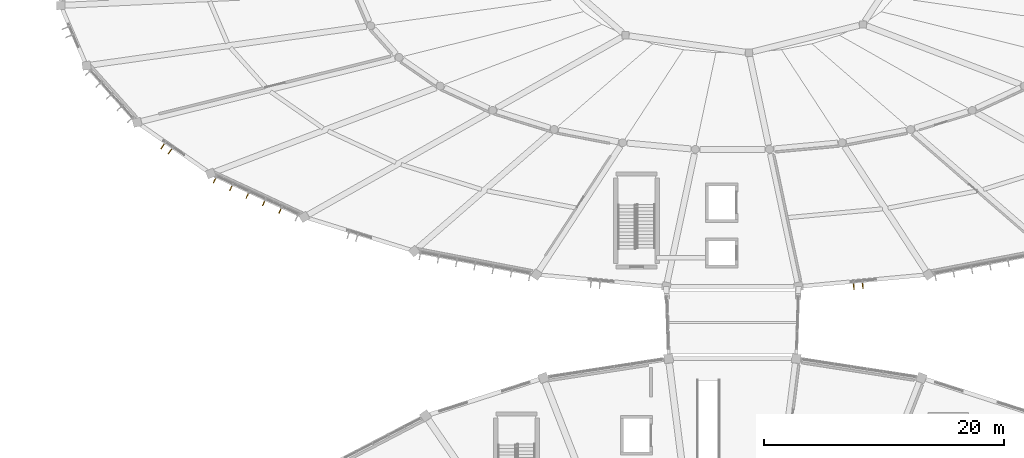
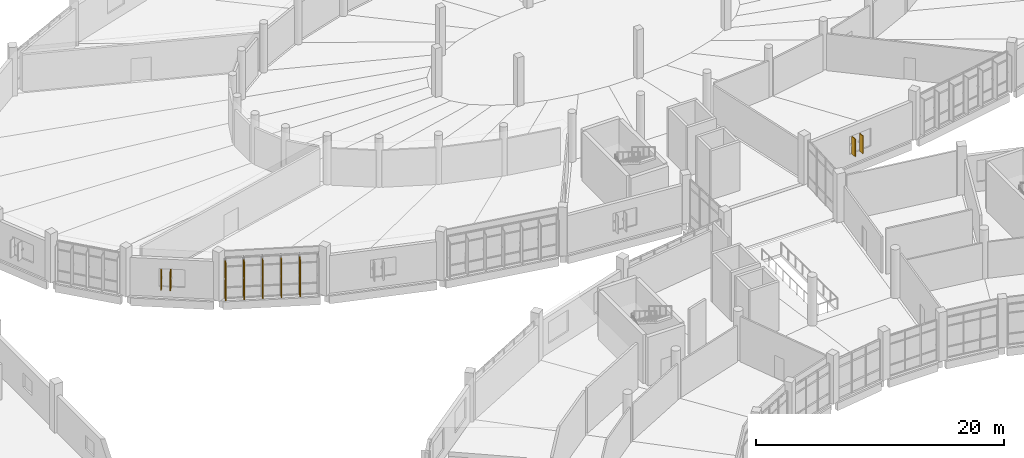
# One storey, part 159 of 179: 9 shading devices.
"""IFC4 building model written with IfcOpenShell, lengths in metres."""

from ifc_helpers import new_model, si_unit, direction, frame, origin, origin_2d, place, context, subcontext, project, spatial, rectangle, extrude, material, type_object, element, save


model = new_model("IFC4")

# Units and contexts
model_context = context("Model", 3, precision=1e-05, world=origin(), true_north=direction((0.0, 1.0)))
body_context = subcontext(model_context, "Body", "Model", "MODEL_VIEW")
ifc_project = project(units=[si_unit("LENGTHUNIT", "METRE"), si_unit("AREAUNIT", "SQUARE_METRE"), si_unit("VOLUMEUNIT", "CUBIC_METRE"), si_unit("PLANEANGLEUNIT", "RADIAN"), si_unit("MASSUNIT", "GRAM", prefix="KILO")], contexts=[model_context])

# Site, building, storey
site_placement = place(None, origin())
site = spatial("IfcSite", under=ifc_project, at=site_placement, CompositionType="ELEMENT")
building_placement = place(site_placement, origin())
building = spatial("IfcBuilding", under=site, at=building_placement, Name="Corvandel Quay Wholesale Market", CompositionType="ELEMENT")
storey_placement = place(building_placement, frame((0.0, 0.0, 6.0)))
storey = spatial("IfcBuildingStorey", under=building, at=storey_placement, Name="L01", CompositionType="ELEMENT", Elevation=6.0)

# Shading devices
ifc_material = material(Name="Bronze anodised extruded aluminium 6063-T6", Category="aluminium")
shading_device_type = type_object("IfcShadingDeviceType", Name="Vertical Anodised Bronze Solar Fin FN01 480mm", PredefinedType="JALOUSIE", material=ifc_material)
for number, where, z_axis, x_axis, name in (
    (1, (66.488037109375, 101.678955078125, 1.0), (0.0, 0.0, 1.0), (0.570570241419, 0.821248804935, 0.0), "Solar Fin 0291"),
    (2, (67.10400390625, 101.2509765625, 1.0), (0.0, 0.0, 1.0), (0.570570241419, 0.821248804935, 0.0), "Solar Fin 0292"),
):
    element("IfcShadingDevice", number, at=place(storey_placement, frame(where, z_axis=z_axis, x_axis=x_axis)), inside=storey, type_object=shading_device_type, Name=name, PredefinedType="JALOUSIE", context=body_context, shape_type="SweptSolid", body=[
        extrude(rectangle(XDim=0.47998046875, YDim=0.06494140625, at=origin_2d()), origin(), (0.0, 0.0, 1.0), 1.75),
    ])
for number, where, z_axis, x_axis, name in (
    (3, (70.831787109375, 98.85400390625, 0.175048828125), (0.0, 0.0, 1.0), (0.421194115999, 0.906970515865, 0.0), "Solar Fin 0297"),
    (4, (72.19580078125, 98.220458984375, 0.175048828125), (0.0, 0.0, 1.0), (0.421194115999, 0.906970515865, 0.0), "Solar Fin 0298"),
    (5, (73.559814453125, 97.587158203125, 0.175048828125), (0.0, 0.0, 1.0), (0.421194115999, 0.906970515865, 0.0), "Solar Fin 0299"),
    (6, (74.924072265625, 96.95361328125, 0.175048828125), (0.0, 0.0, 1.0), (0.421194115999, 0.906970515865, 0.0), "Solar Fin 0300"),
    (7, (76.2880859375, 96.3203125, 0.175048828125), (0.0, 0.0, 1.0), (0.421194115999, 0.906970515865, 0.0), "Solar Fin 0301"),
):
    element("IfcShadingDevice", number, at=place(storey_placement, frame(where, z_axis=z_axis, x_axis=x_axis)), inside=storey, type_object=shading_device_type, Name=name, PredefinedType="JALOUSIE", context=body_context, shape_type="SweptSolid", body=[
        extrude(rectangle(XDim=0.47998046875, YDim=0.06494140625, at=origin_2d()), origin(), (0.0, 0.0, 1.0), 3.60009765625),
    ])
for number, where, z_axis, x_axis, name in (
    (8, (124.119140625, 89.983154296875, 1.0), (0.0, 0.0, 1.0), (-0.092023008338, 0.995756880939, 0.0), "Solar Fin 0360"),
    (9, (124.865966796875, 90.052001953125, 1.0), (0.0, 0.0, 1.0), (-0.092023008338, 0.995756880939, 0.0), "Solar Fin 0361"),
):
    element("IfcShadingDevice", number, at=place(storey_placement, frame(where, z_axis=z_axis, x_axis=x_axis)), inside=storey, type_object=shading_device_type, Name=name, PredefinedType="JALOUSIE", context=body_context, shape_type="SweptSolid", body=[
        extrude(rectangle(XDim=0.47998046875, YDim=0.06494140625, at=origin_2d()), origin(), (0.0, 0.0, 1.0), 1.75),
    ])

save(model, "model.ifc")
